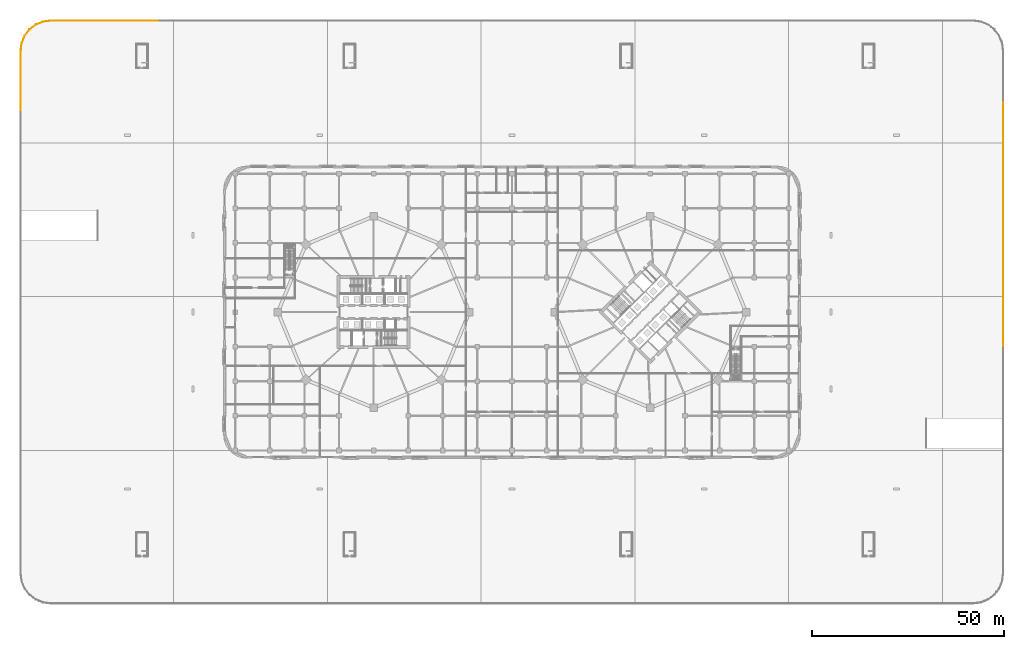
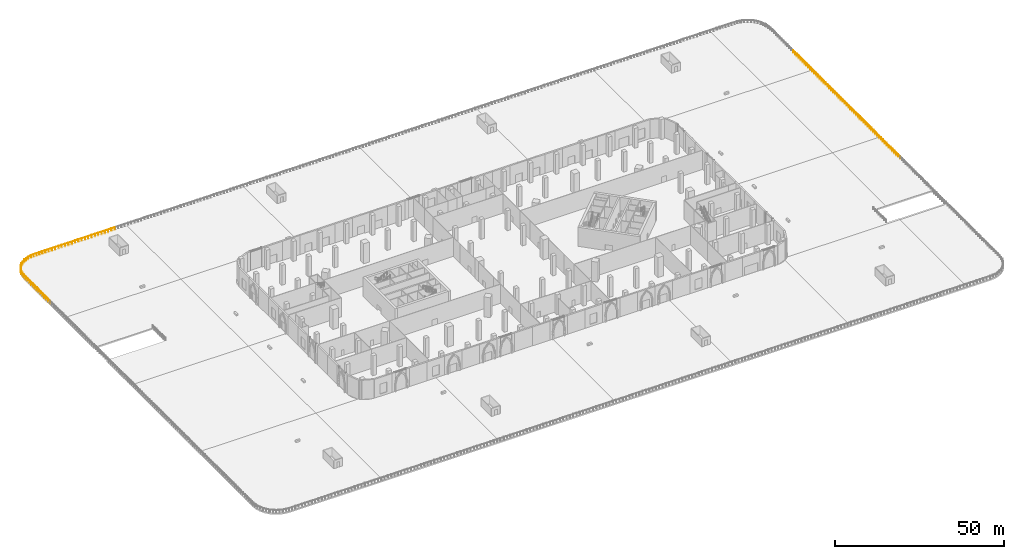
# One storey, part 44 of 48: 15 railings.
"""IFC4 building model written with IfcOpenShell, lengths in metres."""

from ifc_helpers import new_model, si_unit, direction, frame, origin, origin_2d, place, context, subcontext, project, spatial, circle, extrude, material, type_object, element, save


model = new_model("IFC4")

# Units and contexts
model_context = context("Model", 3, precision=1e-05, world=origin(), true_north=direction((0.0, 1.0)))
body_context = subcontext(model_context, "Body", "Model", "MODEL_VIEW")
ifc_project = project(units=[si_unit("LENGTHUNIT", "METRE"), si_unit("AREAUNIT", "SQUARE_METRE"), si_unit("VOLUMEUNIT", "CUBIC_METRE"), si_unit("PLANEANGLEUNIT", "RADIAN"), si_unit("MASSUNIT", "GRAM", prefix="KILO")], contexts=[model_context])

# Site, building, storey
site_placement = place(None, origin())
site = spatial("IfcSite", under=ifc_project, at=site_placement, CompositionType="ELEMENT")
building_placement = place(site_placement, origin())
building = spatial("IfcBuilding", under=site, at=building_placement, Name="Ogive Gate Towers", CompositionType="ELEMENT")
storey_placement = place(building_placement, origin())
storey = spatial("IfcBuildingStorey", under=building, at=storey_placement, Name="L00", CompositionType="ELEMENT", Elevation=0.0)

# Railings
ifc_material = material(Name="Stainless steel", Category="steel")
railing_type = type_object("IfcRailingType", Name="Guard 1100", PredefinedType="GUARDRAIL", material=ifc_material)
for number, where, name in (
    (1, (127.800048828125, -8.852783203125, 0.0), "Garden deck guard"),
    (2, (127.800048828125, -0.92333984375, 0.0), "Garden deck guard"),
    (3, (127.800048828125, 7.006103515625, 0.0), "Garden deck guard"),
    (4, (127.800048828125, 14.935546875, 0.0), "Garden deck guard"),
    (5, (127.800048828125, 22.864990234375, 0.0), "Garden deck guard"),
    (6, (127.800048828125, 30.794189453125, 0.0), "Garden deck guard"),
    (7, (127.800048828125, 38.7236328125, 0.0), "Garden deck guard"),
    (8, (127.800048828125, 46.653076171875, 0.0), "Garden deck guard"),
):
    element("IfcRailing", number, at=place(storey_placement, frame(where)), inside=storey, type_object=railing_type, Name=name, PredefinedType="GUARDRAIL", context=body_context, shape_type="SweptSolid", body=[
        extrude(circle(Radius=0.02392578125, at=origin_2d()), frame((0.0, 0.0, 1.076171875), z_axis=(0.0, 1.0, 0.0), x_axis=(-1.0, 0.0, 0.0)), (0.0, 0.0, 1.0), 7.87939453125),
        extrude(circle(Radius=0.02099609375, at=origin_2d()), origin(), (0.0, 0.0, 1.0), 1.052001953125),
        extrude(circle(Radius=0.02099609375, at=origin_2d()), frame((0.0, 1.125732421875, 0.0)), (0.0, 0.0, 1.0), 1.052001953125),
        extrude(circle(Radius=0.02099609375, at=origin_2d()), frame((0.0, 2.251220703125, 0.0)), (0.0, 0.0, 1.0), 1.052001953125),
        extrude(circle(Radius=0.02099609375, at=origin_2d()), frame((0.0, 3.376953125, 0.0)), (0.0, 0.0, 1.0), 1.052001953125),
        extrude(circle(Radius=0.02099609375, at=origin_2d()), frame((0.0, 4.50244140625, 0.0)), (0.0, 0.0, 1.0), 1.052001953125),
        extrude(circle(Radius=0.02099609375, at=origin_2d()), frame((0.0, 5.628173828125, 0.0)), (0.0, 0.0, 1.0), 1.052001953125),
        extrude(circle(Radius=0.02099609375, at=origin_2d()), frame((0.0, 6.753662109375, 0.0)), (0.0, 0.0, 1.0), 1.052001953125),
        extrude(circle(Radius=0.02099609375, at=origin_2d()), frame((0.0, 7.87939453125, 0.0)), (0.0, 0.0, 1.0), 1.052001953125),
    ])
for number, where, name in (
    (9, (-92.2470703125, 75.800048828125, 0.0), "Garden deck guard"),
    (10, (-100.176513671875, 75.800048828125, 0.0), "Garden deck guard"),
    (11, (-108.10595703125, 75.800048828125, 0.0), "Garden deck guard"),
):
    element("IfcRailing", number, at=place(storey_placement, frame(where)), inside=storey, type_object=railing_type, Name=name, PredefinedType="GUARDRAIL", context=body_context, shape_type="SweptSolid", body=[
        extrude(circle(Radius=0.02392578125, at=origin_2d()), frame((0.0, 0.0, 1.076171875), z_axis=(-1.0, 0.0, 0.0), x_axis=(0.0, -1.0, 0.0)), (0.0, 0.0, 1.0), 7.87939453125),
        extrude(circle(Radius=0.02099609375, at=origin_2d()), origin(), (0.0, 0.0, 1.0), 1.052001953125),
        extrude(circle(Radius=0.02099609375, at=origin_2d()), frame((-1.125732421875, 0.0, 0.0)), (0.0, 0.0, 1.0), 1.052001953125),
        extrude(circle(Radius=0.02099609375, at=origin_2d()), frame((-2.251220703125, 0.0, 0.0)), (0.0, 0.0, 1.0), 1.052001953125),
        extrude(circle(Radius=0.02099609375, at=origin_2d()), frame((-3.376953125, 0.0, 0.0)), (0.0, 0.0, 1.0), 1.052001953125),
        extrude(circle(Radius=0.02099609375, at=origin_2d()), frame((-4.50244140625, 0.0, 0.0)), (0.0, 0.0, 1.0), 1.052001953125),
        extrude(circle(Radius=0.02099609375, at=origin_2d()), frame((-5.628173828125, 0.0, 0.0)), (0.0, 0.0, 1.0), 1.052001953125),
        extrude(circle(Radius=0.02099609375, at=origin_2d()), frame((-6.753662109375, 0.0, 0.0)), (0.0, 0.0, 1.0), 1.052001953125),
        extrude(circle(Radius=0.02099609375, at=origin_2d()), frame((-7.87939453125, 0.0, 0.0)), (0.0, 0.0, 1.0), 1.052001953125),
    ])
railing_1_placement = place(storey_placement, frame((-116.035400390625, 75.800048828125, 0.0)))
element("IfcRailing", 12, at=railing_1_placement, inside=storey, type_object=railing_type, Name="Garden deck guard", PredefinedType="GUARDRAIL", context=body_context, shape_type="SweptSolid", body=[
    extrude(circle(Radius=0.02392578125, at=origin_2d()), frame((0.0, 0.0, 1.076171875), z_axis=(-1.0, 0.0, 0.0), x_axis=(0.0, -1.0, 0.0)), (0.0, 0.0, 1.0), 3.964599609375),
    extrude(circle(Radius=0.02392578125, at=origin_2d()), frame((-3.964599609375, 0.0, 1.076171875), z_axis=(-0.991439189385, -0.130569268018, 0.0), x_axis=(0.130569268018, -0.991439189385, 0.0)), (0.0, 0.0, 1.0), 2.0361328125),
    extrude(circle(Radius=0.02392578125, at=origin_2d()), frame((-5.9833984375, -0.265869140625, 1.076171875), z_axis=(-0.923909130757, -0.382611968061, 0.0), x_axis=(0.382611968061, -0.923909130757, 0.0)), (0.0, 0.0, 1.0), 1.87841796875),
    extrude(circle(Radius=0.02099609375, at=origin_2d()), origin(), (0.0, 0.0, 1.0), 1.052001953125),
    extrude(circle(Radius=0.02099609375, at=origin_2d()), frame((-0.9912109375, 0.0, 0.0)), (0.0, 0.0, 1.0), 1.052001953125),
    extrude(circle(Radius=0.02099609375, at=origin_2d()), frame((-1.982421875, 0.0, 0.0)), (0.0, 0.0, 1.0), 1.052001953125),
    extrude(circle(Radius=0.02099609375, at=origin_2d()), frame((-2.973388671875, 0.0, 0.0)), (0.0, 0.0, 1.0), 1.052001953125),
    extrude(circle(Radius=0.02099609375, at=origin_2d()), frame((-3.964599609375, 0.0, 0.0)), (0.0, 0.0, 1.0), 1.052001953125),
    extrude(circle(Radius=0.02099609375, at=origin_2d()), frame((-4.97412109375, -0.1328125, 0.0)), (0.0, 0.0, 1.0), 1.052001953125),
    extrude(circle(Radius=0.02099609375, at=origin_2d()), frame((-5.9833984375, -0.265869140625, 0.0)), (0.0, 0.0, 1.0), 1.052001953125),
    extrude(circle(Radius=0.02099609375, at=origin_2d()), frame((-6.85107421875, -0.625244140625, 0.0)), (0.0, 0.0, 1.0), 1.052001953125),
    extrude(circle(Radius=0.02099609375, at=origin_2d()), frame((-7.718994140625, -0.984619140625, 0.0)), (0.0, 0.0, 1.0), 1.052001953125),
])
railing_2_placement = place(storey_placement, frame((-123.800537109375, 74.796142578125, 0.0)))
element("IfcRailing", 13, at=railing_2_placement, inside=storey, type_object=railing_type, Name="Garden deck guard", PredefinedType="GUARDRAIL", context=body_context, shape_type="SweptSolid", body=[
    extrude(circle(Radius=0.02392578125, at=origin_2d()), frame((0.0, 0.0, 1.076171875), z_axis=(-0.923546177425, -0.383487233378, 0.0), x_axis=(0.383487233378, -0.923546177425, 0.0)), (0.0, 0.0, 1.0), 0.107666015625),
    extrude(circle(Radius=0.02392578125, at=origin_2d()), frame((-0.099365234375, -0.041259765625, 1.076171875), z_axis=(-0.793376657722, -0.608731039936, 0.0), x_axis=(0.608731039936, -0.793376657722, 0.0)), (0.0, 0.0, 1.0), 2.0361328125),
    extrude(circle(Radius=0.02392578125, at=origin_2d()), frame((-1.71484375, -1.28076171875, 1.076171875), z_axis=(-0.608731039936, -0.793376657722, 0.0), x_axis=(0.793376657722, -0.608731039936, 0.0)), (0.0, 0.0, 1.0), 2.0361328125),
    extrude(circle(Radius=0.02392578125, at=origin_2d()), frame((-2.954345703125, -2.896240234375, 1.076171875), z_axis=(-0.382733017832, -0.923858991979, 0.0), x_axis=(0.923858991979, -0.382733017832, 0.0)), (0.0, 0.0, 1.0), 2.0361328125),
    extrude(circle(Radius=0.02392578125, at=origin_2d()), frame((-3.733642578125, -4.77734375, 1.076171875), z_axis=(-0.130500079604, -0.991448298815, 0.0), x_axis=(0.991448298815, -0.130500079604, 0.0)), (0.0, 0.0, 1.0), 1.6630859375),
    extrude(circle(Radius=0.02099609375, at=origin_2d()), origin(), (0.0, 0.0, 1.0), 1.052001953125),
    extrude(circle(Radius=0.02099609375, at=origin_2d()), frame((-0.099365234375, -0.041259765625, 0.0)), (0.0, 0.0, 1.0), 1.052001953125),
    extrude(circle(Radius=0.02099609375, at=origin_2d()), frame((-0.9072265625, -0.6611328125, 0.0)), (0.0, 0.0, 1.0), 1.052001953125),
    extrude(circle(Radius=0.02099609375, at=origin_2d()), frame((-1.71484375, -1.28076171875, 0.0)), (0.0, 0.0, 1.0), 1.052001953125),
    extrude(circle(Radius=0.02099609375, at=origin_2d()), frame((-2.33447265625, -2.08837890625, 0.0)), (0.0, 0.0, 1.0), 1.052001953125),
    extrude(circle(Radius=0.02099609375, at=origin_2d()), frame((-2.954345703125, -2.896240234375, 0.0)), (0.0, 0.0, 1.0), 1.052001953125),
    extrude(circle(Radius=0.02099609375, at=origin_2d()), frame((-3.343994140625, -3.8369140625, 0.0)), (0.0, 0.0, 1.0), 1.052001953125),
    extrude(circle(Radius=0.02099609375, at=origin_2d()), frame((-3.733642578125, -4.77734375, 0.0)), (0.0, 0.0, 1.0), 1.052001953125),
    extrude(circle(Radius=0.02099609375, at=origin_2d()), frame((-3.84228515625, -5.601806640625, 0.0)), (0.0, 0.0, 1.0), 1.052001953125),
    extrude(circle(Radius=0.02099609375, at=origin_2d()), frame((-3.95068359375, -6.42626953125, 0.0)), (0.0, 0.0, 1.0), 1.052001953125),
])
railing_3_placement = place(storey_placement, frame((-127.7578125, 68.3203125, 0.0)))
element("IfcRailing", 14, at=railing_3_placement, inside=storey, type_object=railing_type, Name="Garden deck guard", PredefinedType="GUARDRAIL", context=body_context, shape_type="SweptSolid", body=[
    extrude(circle(Radius=0.02392578125, at=origin_2d()), frame((0.0, 0.0, 1.076171875), z_axis=(-0.130728168602, -0.991418249748, 0.0), x_axis=(0.991418249748, -0.130728168602, 0.0)), (0.0, 0.0, 1.0), 0.322998046875),
    extrude(circle(Radius=0.02392578125, at=origin_2d()), frame((-0.042236328125, -0.3203125, 1.076171875), z_axis=(0.0, -1.0, 0.0), x_axis=(1.0, 0.0, 0.0)), (0.0, 0.0, 1.0), 7.556396484375),
    extrude(circle(Radius=0.02099609375, at=origin_2d()), origin(), (0.0, 0.0, 1.0), 1.052001953125),
    extrude(circle(Radius=0.02099609375, at=origin_2d()), frame((-0.042236328125, -0.3203125, 0.0)), (0.0, 0.0, 1.0), 1.052001953125),
    extrude(circle(Radius=0.02099609375, at=origin_2d()), frame((-0.042236328125, -1.39990234375, 0.0)), (0.0, 0.0, 1.0), 1.052001953125),
    extrude(circle(Radius=0.02099609375, at=origin_2d()), frame((-0.042236328125, -2.479248046875, 0.0)), (0.0, 0.0, 1.0), 1.052001953125),
    extrude(circle(Radius=0.02099609375, at=origin_2d()), frame((-0.042236328125, -3.558837890625, 0.0)), (0.0, 0.0, 1.0), 1.052001953125),
    extrude(circle(Radius=0.02099609375, at=origin_2d()), frame((-0.042236328125, -4.63818359375, 0.0)), (0.0, 0.0, 1.0), 1.052001953125),
    extrude(circle(Radius=0.02099609375, at=origin_2d()), frame((-0.042236328125, -5.7177734375, 0.0)), (0.0, 0.0, 1.0), 1.052001953125),
    extrude(circle(Radius=0.02099609375, at=origin_2d()), frame((-0.042236328125, -6.797119140625, 0.0)), (0.0, 0.0, 1.0), 1.052001953125),
    extrude(circle(Radius=0.02099609375, at=origin_2d()), frame((-0.042236328125, -7.876708984375, 0.0)), (0.0, 0.0, 1.0), 1.052001953125),
])
railing_4_placement = place(storey_placement, frame((-127.800048828125, 60.393798828125, 0.0)))
element("IfcRailing", 15, at=railing_4_placement, inside=storey, type_object=railing_type, Name="Garden deck guard", PredefinedType="GUARDRAIL", context=body_context, shape_type="SweptSolid", body=[
    extrude(circle(Radius=0.02392578125, at=origin_2d()), frame((0.0, 0.0, 1.076171875), z_axis=(0.0, -1.0, 0.0), x_axis=(1.0, 0.0, 0.0)), (0.0, 0.0, 1.0), 7.87939453125),
    extrude(circle(Radius=0.02099609375, at=origin_2d()), origin(), (0.0, 0.0, 1.0), 1.052001953125),
    extrude(circle(Radius=0.02099609375, at=origin_2d()), frame((0.0, -1.125732421875, 0.0)), (0.0, 0.0, 1.0), 1.052001953125),
    extrude(circle(Radius=0.02099609375, at=origin_2d()), frame((0.0, -2.251220703125, 0.0)), (0.0, 0.0, 1.0), 1.052001953125),
    extrude(circle(Radius=0.02099609375, at=origin_2d()), frame((0.0, -3.376953125, 0.0)), (0.0, 0.0, 1.0), 1.052001953125),
    extrude(circle(Radius=0.02099609375, at=origin_2d()), frame((0.0, -4.50244140625, 0.0)), (0.0, 0.0, 1.0), 1.052001953125),
    extrude(circle(Radius=0.02099609375, at=origin_2d()), frame((0.0, -5.628173828125, 0.0)), (0.0, 0.0, 1.0), 1.052001953125),
    extrude(circle(Radius=0.02099609375, at=origin_2d()), frame((0.0, -6.753662109375, 0.0)), (0.0, 0.0, 1.0), 1.052001953125),
    extrude(circle(Radius=0.02099609375, at=origin_2d()), frame((0.0, -7.87939453125, 0.0)), (0.0, 0.0, 1.0), 1.052001953125),
])

save(model, "model.ifc")
